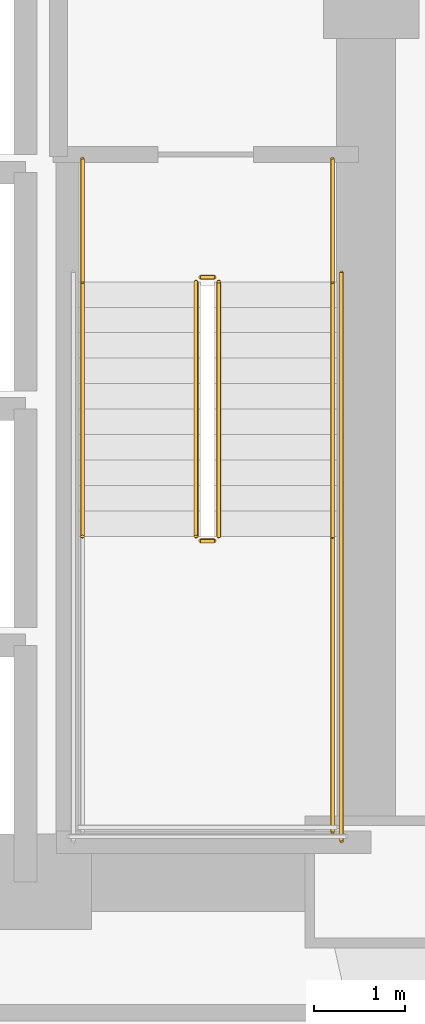
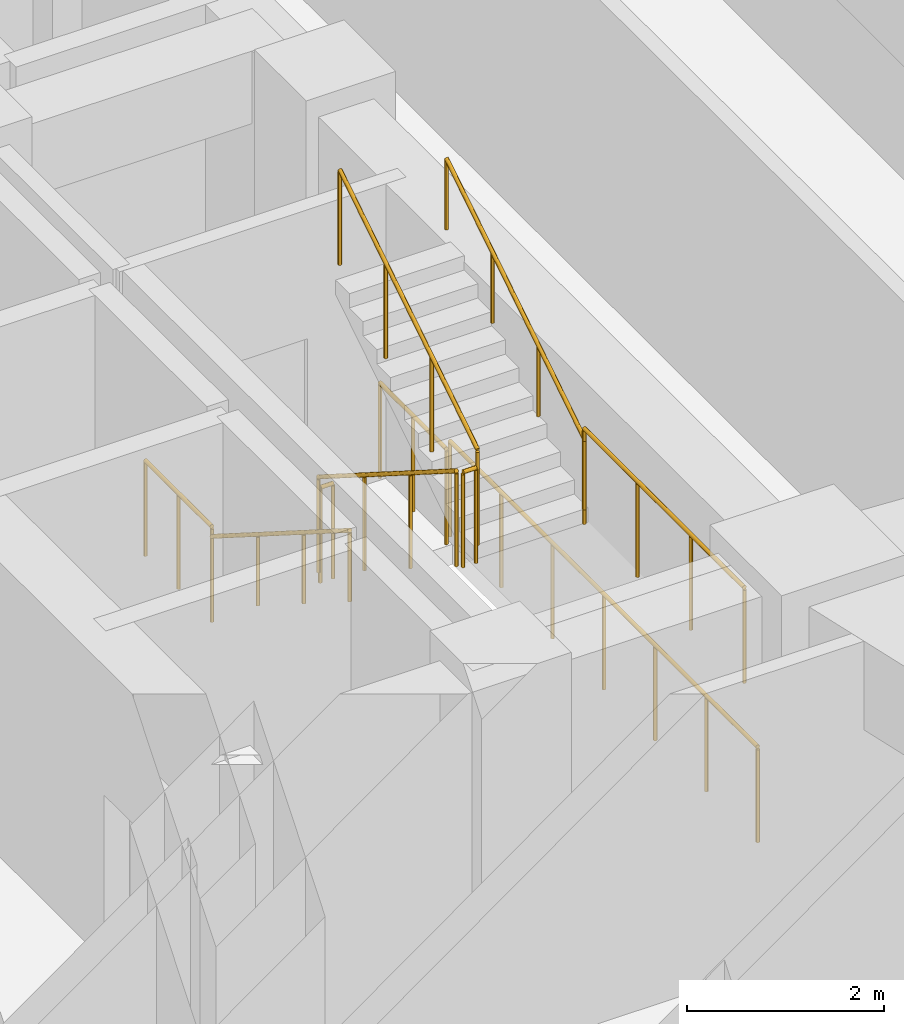
# One storey, part 14 of 15: 10 railings.
"""IFC4 building model written with IfcOpenShell, lengths in metres."""

import ifcopenshell
import ifcopenshell.guid

model = None  # the IFC model being written
_history = None  # IfcOwnerHistory: only IFC2X3 demands one
_inside = {}  # id of a spatial element -> (the spatial element, [elements in it])
_under = {}  # id of a project, library or spatial element -> (it, [spatial elements below it])
_declared = {}  # id of a project -> (the project, [libraries it declares])
_typed = {}  # id of a type object -> (the type object, [elements of that type])
_made_of = {}  # id of a material, layer set ... -> (it, [elements and type objects made of it])


def new_model(schema):
    """Start an empty IFC model of exactly this schema.

    Asked for "IFC4X3", IfcOpenShell would pick the latest addendum, in which some entities
    have other attributes; the version numbers below select the first issue.
    IFC2X3 requires an IfcOwnerHistory on every rooted entity: one is made here for all.
    """
    global model, _history
    if schema == "IFC4X3":
        model = ifcopenshell.file(schema_version=(4, 3, 0, 0))
    else:
        model = ifcopenshell.file(schema=schema)
    _inside.clear()
    _under.clear()
    _declared.clear()
    _typed.clear()
    _made_of.clear()
    _history = None
    if model.schema == "IFC2X3":
        org = make("IfcOrganization", Name="unknown")
        user = make(
            "IfcPersonAndOrganization",
            ThePerson=make("IfcPerson", FamilyName="unknown"),
            TheOrganization=org,
        )
        app = make(
            "IfcApplication",
            ApplicationDeveloper=org,
            Version="unknown",
            ApplicationFullName="unknown",
            ApplicationIdentifier="unknown",
        )
        _history = make(
            "IfcOwnerHistory",
            OwningUser=user,
            OwningApplication=app,
            ChangeAction="ADDED",
            CreationDate=0,
        )
    return model


def make(cls, **values):
    """One entity of the class cls with the attributes given. An attribute that is None is left unset."""
    return model.create_entity(
        cls, **{name: value for name, value in values.items() if value is not None}
    )


def rooted(cls, **values):
    """An entity with a GlobalId (a new one), such as an element, a storey or a relation."""
    return make(cls, GlobalId=ifcopenshell.guid.new(), OwnerHistory=_history, **values)


def si_unit(unit_type, name, prefix=None):
    """IfcSIUnit, for example si_unit("LENGTHUNIT", "METRE", prefix="MILLI")."""
    return make("IfcSIUnit", UnitType=unit_type, Prefix=prefix, Name=name)


def assignment(units):
    """IfcUnitAssignment: the units of a project."""
    return None if units is None else make("IfcUnitAssignment", Units=units)


def point(xyz):
    """IfcCartesianPoint."""
    return None if xyz is None else make("IfcCartesianPoint", Coordinates=xyz)


def direction(xyz):
    """IfcDirection."""
    return None if xyz is None else make("IfcDirection", DirectionRatios=xyz)


def frame(location, z_axis=None, x_axis=None):
    """IfcAxis2Placement3D, a coordinate frame: its origin and axes. An axis left out is left unset."""
    return make(
        "IfcAxis2Placement3D",
        Location=point(location),
        Axis=direction(z_axis),
        RefDirection=direction(x_axis),
    )


def frame_2d(location, x_axis=None):
    """IfcAxis2Placement2D, a coordinate frame in the plane: its origin and x axis."""
    return make(
        "IfcAxis2Placement2D", Location=point(location), RefDirection=direction(x_axis)
    )


def origin():
    """The frame at (0, 0, 0) with its axes left unset."""
    return frame((0.0, 0.0, 0.0))


def origin_2d():
    """The frame at (0, 0) in the plane with its x axis left unset."""
    return frame_2d((0.0, 0.0))


def place(relative_to, where):
    """IfcLocalPlacement: puts the frame where relative to a parent placement (None: the world)."""
    return make(
        "IfcLocalPlacement", PlacementRelTo=relative_to, RelativePlacement=where
    )


def context(
    kind, dimensions, precision=None, world=None, true_north=None, identifier=None
):
    """IfcGeometricRepresentationContext, for example the 3D "Model" context."""
    return make(
        "IfcGeometricRepresentationContext",
        ContextIdentifier=identifier,
        ContextType=kind,
        CoordinateSpaceDimension=dimensions,
        Precision=precision,
        WorldCoordinateSystem=world,
        TrueNorth=true_north,
    )


def subcontext(parent, identifier, kind, view, scale=None):
    """IfcGeometricRepresentationSubContext, for example "Body" below "Model"."""
    return make(
        "IfcGeometricRepresentationSubContext",
        ContextIdentifier=identifier,
        ContextType=kind,
        ParentContext=parent,
        TargetScale=scale,
        TargetView=view,
    )


def project(units=None, contexts=None):
    """IfcProject with its units and contexts."""
    return rooted(
        "IfcProject",
        Name="project",
        RepresentationContexts=contexts,
        UnitsInContext=assignment(units),
    )


def spatial(cls, under=None, at=None, **own):
    """A site, building, storey or space (cls), placed at a placement, below another one or the project."""
    s = rooted(cls, ObjectPlacement=at, **own)
    if under is not None:
        _under.setdefault(under.id(), (under, []))[1].append(s)
    return s


def profile(cls, at=None, kind="AREA", **sizes):
    """A parametric profile (cls). Its sizes go by their IFC names, for example OverallWidth=200.0."""
    return make(cls, ProfileType=kind, Position=at, **sizes)


def circle(**sizes):
    """IfcCircleProfileDef."""
    return profile("IfcCircleProfileDef", **sizes)


def extrude(swept, where, along, depth):
    """IfcExtrudedAreaSolid: the profile swept, set in the frame where, extruded along a direction by depth."""
    return make(
        "IfcExtrudedAreaSolid",
        SweptArea=swept,
        Position=where,
        ExtrudedDirection=direction(along),
        Depth=depth,
    )


def shape(context_of_items, identifier, shape_type, items):
    """IfcShapeRepresentation: the items that make up one representation, for example the "Body"."""
    return make(
        "IfcShapeRepresentation",
        ContextOfItems=context_of_items,
        RepresentationIdentifier=identifier,
        RepresentationType=shape_type,
        Items=items,
    )


def material(Name=None, Category=None):
    """IfcMaterial."""
    return make("IfcMaterial", Name=Name, Category=Category)


def made_of(thing, what):
    """Note that an element or type object is made of a material, layer set ...; save() writes the relation."""
    if what is not None:
        _made_of.setdefault(what.id(), (what, []))[1].append(thing)
    return thing


def type_object(cls, material=None, **own):
    """A type object (cls), such as IfcWallType, which elements share."""
    return made_of(rooted(cls, **own), material)


def element(
    cls,
    number,
    at=None,
    inside=None,
    cuts=None,
    type_object=None,
    material=None,
    context=None,
    identifier="Body",
    shape_type=None,
    held_by="IfcProductDefinitionShape",
    body=None,
    shapes=None,
    **own,
):
    """One element of the class cls, such as IfcWall. Its Tag is "e" and its number.

    at: its placement. inside: the storey or other place that contains it. cuts: it is an
    opening in that element (IfcRelVoidsElement). A single representation is given by context,
    identifier, shape_type and body (its items); several are given by shapes. held_by: the class
    of the entity that holds the representations. save() writes the other relations.
    """
    e = rooted(cls, Tag="e%d" % number, ObjectPlacement=at, **own)
    if body is not None:
        shapes = [shape(context, identifier, shape_type, body)]
    if shapes is not None:
        e.Representation = make(held_by, Representations=shapes)
    if inside is not None:
        _inside.setdefault(inside.id(), (inside, []))[1].append(e)
    if cuts is not None:
        rooted(
            "IfcRelVoidsElement", RelatingBuildingElement=cuts, RelatedOpeningElement=e
        )
    if type_object is not None:
        _typed.setdefault(type_object.id(), (type_object, []))[1].append(e)
    return made_of(e, material)


def aggregate(whole, parts):
    """IfcRelAggregates: a whole, such as a stair, and the parts it consists of."""
    return rooted("IfcRelAggregates", RelatingObject=whole, RelatedObjects=parts)


def save(model, path):
    """Write the relations noted so far, then the file.

    IfcRelAggregates (storeys below a building ...), IfcRelContainedInSpatialStructure (elements
    in a storey), IfcRelDefinesByType, IfcRelAssociatesMaterial and IfcRelDeclares: one each for
    every whole, place, type object, material and project.
    """
    for whole, parts in _under.values():
        aggregate(whole, parts)
    for where, things in _inside.values():
        rooted(
            "IfcRelContainedInSpatialStructure",
            RelatedElements=things,
            RelatingStructure=where,
        )
    for kind, things in _typed.values():
        rooted("IfcRelDefinesByType", RelatedObjects=things, RelatingType=kind)
    for what, things in _made_of.values():
        rooted("IfcRelAssociatesMaterial", RelatedObjects=things, RelatingMaterial=what)
    for by, libraries in _declared.values():
        rooted("IfcRelDeclares", RelatingContext=by, RelatedDefinitions=libraries)
    model.write(path)


model = new_model("IFC4")

# Units and contexts
model_context = context("Model", 3, precision=1e-05, world=origin(), true_north=direction((0.0, 1.0)))
body_context = subcontext(model_context, "Body", "Model", "MODEL_VIEW")
ifc_project = project(units=[si_unit("LENGTHUNIT", "METRE"), si_unit("AREAUNIT", "SQUARE_METRE"), si_unit("VOLUMEUNIT", "CUBIC_METRE"), si_unit("PLANEANGLEUNIT", "RADIAN"), si_unit("MASSUNIT", "GRAM", prefix="KILO")], contexts=[model_context])

# Site, building, storey
site_placement = place(None, origin())
site = spatial("IfcSite", under=ifc_project, at=site_placement, CompositionType="ELEMENT")
building_placement = place(site_placement, origin())
building = spatial("IfcBuilding", under=site, at=building_placement, Name="Voryun Gate Residences", CompositionType="ELEMENT")
storey_placement = place(building_placement, frame((0.0, 0.0, 26.0)))
storey = spatial("IfcBuildingStorey", under=building, at=storey_placement, Name="L05", CompositionType="ELEMENT", Elevation=26.0)

# Railings
ifc_material_1 = material(Name="Painted steel", Category="steel")
railing_type_1 = type_object("IfcRailingType", Name="RAIL_STAIR_GUARD_1200", PredefinedType="GUARDRAIL", material=ifc_material_1)
railing_1_placement = place(storey_placement, frame((17.27490234375, -0.800048828125, 0.17724609375)))
element("IfcRailing", 1, at=railing_1_placement, inside=storey, type_object=railing_type_1, Name="L05 ST-E1 stair guard 1", PredefinedType="GUARDRAIL", context=body_context, shape_type="SweptSolid", body=[
    extrude(circle(Radius=0.02392578125, at=origin_2d()), frame((0.0, 0.0, 1.17578125), z_axis=(0.0, -0.844908973607, 0.534910110503), x_axis=(1.0, 0.0, 0.0)), (0.0, 0.0, 1.0), 3.31396484375),
    extrude(circle(Radius=0.02099609375, at=origin_2d()), origin(), (0.0, 0.0, 1.0), 1.15185546875),
    extrude(circle(Radius=0.02099609375, at=origin_2d()), frame((0.0, -0.933349609375, 0.5908203125)), (0.0, 0.0, 1.0), 1.15185546875),
    extrude(circle(Radius=0.02099609375, at=origin_2d()), frame((0.0, -1.86669921875, 1.181884765625)), (0.0, 0.0, 1.0), 1.15185546875),
    extrude(circle(Radius=0.02099609375, at=origin_2d()), frame((0.0, -2.800048828125, 1.772705078125)), (0.0, 0.0, 1.0), 1.15185546875),
])
railing_2_placement = place(storey_placement, frame((17.324951171875, -3.64990234375, 1.949951171875)))
element("IfcRailing", 2, at=railing_2_placement, inside=storey, type_object=railing_type_1, Name="L05 ST-E1 stair guard 2", PredefinedType="GUARDRAIL", context=body_context, shape_type="SweptSolid", body=[
    extrude(circle(Radius=0.02392578125, at=origin_2d()), frame((0.0, 0.0, 1.17578125), z_axis=(1.0, 0.0, 0.0), x_axis=(0.0, 1.0, 0.0)), (0.0, 0.0, 1.0), 0.150146484375),
    extrude(circle(Radius=0.02099609375, at=origin_2d()), origin(), (0.0, 0.0, 1.0), 1.15185546875),
    extrude(circle(Radius=0.02099609375, at=origin_2d()), frame((0.150146484375, 0.0, 0.0)), (0.0, 0.0, 1.0), 1.15185546875),
])
railing_3_placement = place(storey_placement, frame((18.77490234375, -3.60009765625, 1.949951171875)))
element("IfcRailing", 3, at=railing_3_placement, inside=storey, type_object=railing_type_1, Name="L05 ST-E1 stair guard 4", PredefinedType="GUARDRAIL", context=body_context, shape_type="SweptSolid", body=[
    extrude(circle(Radius=0.02392578125, at=origin_2d()), frame((0.0, 0.0, 1.17578125), z_axis=(0.0, -1.0, 0.0), x_axis=(1.0, 0.0, 0.0)), (0.0, 0.0, 1.0), 3.25),
    extrude(circle(Radius=0.02099609375, at=origin_2d()), origin(), (0.0, 0.0, 1.0), 1.15185546875),
    extrude(circle(Radius=0.02099609375, at=origin_2d()), frame((0.0, -1.083251953125, 0.0)), (0.0, 0.0, 1.0), 1.15185546875),
    extrude(circle(Radius=0.02099609375, at=origin_2d()), frame((0.0, -2.166748046875, 0.0)), (0.0, 0.0, 1.0), 1.15185546875),
    extrude(circle(Radius=0.02099609375, at=origin_2d()), frame((0.0, -3.25, 0.0)), (0.0, 0.0, 1.0), 1.15185546875),
])
railing_4_placement = place(storey_placement, frame((17.52490234375, -3.60009765625, 2.127197265625)))
element("IfcRailing", 4, at=railing_4_placement, inside=storey, type_object=railing_type_1, Name="L05 ST-E1 stair guard 6", PredefinedType="GUARDRAIL", context=body_context, shape_type="SweptSolid", body=[
    extrude(circle(Radius=0.02392578125, at=origin_2d()), frame((0.0, 0.0, 1.17578125), z_axis=(0.0, 0.844908973607, 0.534910110503), x_axis=(-1.0, 0.0, 0.0)), (0.0, 0.0, 1.0), 3.31396484375),
    extrude(circle(Radius=0.02099609375, at=origin_2d()), origin(), (0.0, 0.0, 1.0), 1.15185546875),
    extrude(circle(Radius=0.02099609375, at=origin_2d()), frame((0.0, 0.933349609375, 0.5908203125)), (0.0, 0.0, 1.0), 1.15185546875),
    extrude(circle(Radius=0.02099609375, at=origin_2d()), frame((0.0, 1.86669921875, 1.181884765625)), (0.0, 0.0, 1.0), 1.15185546875),
    extrude(circle(Radius=0.02099609375, at=origin_2d()), frame((0.0, 2.800048828125, 1.772705078125)), (0.0, 0.0, 1.0), 1.15185546875),
])
railing_5_placement = place(storey_placement, frame((17.324951171875, -0.75, 0.0)))
element("IfcRailing", 5, at=railing_5_placement, inside=storey, type_object=railing_type_1, Name="L05 ST-E1 stair guard 7", PredefinedType="GUARDRAIL", context=body_context, shape_type="SweptSolid", body=[
    extrude(circle(Radius=0.02392578125, at=origin_2d()), frame((0.0, 0.0, 1.17578125), z_axis=(1.0, 0.0, 0.0), x_axis=(0.0, 1.0, 0.0)), (0.0, 0.0, 1.0), 0.150146484375),
    extrude(circle(Radius=0.02099609375, at=origin_2d()), origin(), (0.0, 0.0, 1.0), 1.15185546875),
    extrude(circle(Radius=0.02099609375, at=origin_2d()), frame((0.150146484375, 0.0, 0.0)), (0.0, 0.0, 1.0), 1.15185546875),
])
for number, where, name in (
    (6, (16.02490234375, 0.550048828125, 0.0), "L05 ST-E1 stair guard 8"),
    (7, (18.77490234375, 0.550048828125, 0.0), "L05 ST-E1 stair guard 9"),
):
    element("IfcRailing", number, at=place(storey_placement, frame(where)), inside=storey, type_object=railing_type_1, Name=name, PredefinedType="GUARDRAIL", context=body_context, shape_type="SweptSolid", body=[
        extrude(circle(Radius=0.02392578125, at=origin_2d()), frame((0.0, 0.0, 1.17578125), z_axis=(0.0, -1.0, 0.0), x_axis=(1.0, 0.0, 0.0)), (0.0, 0.0, 1.0), 1.35009765625),
        extrude(circle(Radius=0.02099609375, at=origin_2d()), origin(), (0.0, 0.0, 1.0), 1.15185546875),
        extrude(circle(Radius=0.02099609375, at=origin_2d()), frame((0.0, -0.675048828125, 0.0)), (0.0, 0.0, 1.0), 1.15185546875),
        extrude(circle(Radius=0.02099609375, at=origin_2d()), frame((0.0, -1.35009765625, 0.0)), (0.0, 0.0, 1.0), 1.15185546875),
    ])
railing_6_placement = place(storey_placement, frame((18.875, -0.699951171875, 0.0)))
element("IfcRailing", 8, at=railing_6_placement, inside=storey, type_object=railing_type_1, Name="L05 ST-E1 stair guard 11", PredefinedType="GUARDRAIL", context=body_context, shape_type="SweptSolid", body=[
    extrude(circle(Radius=0.02392578125, at=origin_2d()), frame((0.0, 0.0, 1.17578125), z_axis=(0.0, -1.0, 0.0), x_axis=(1.0, 0.0, 0.0)), (0.0, 0.0, 1.0), 6.25),
    extrude(circle(Radius=0.02099609375, at=origin_2d()), origin(), (0.0, 0.0, 1.0), 1.15185546875),
    extrude(circle(Radius=0.02099609375, at=origin_2d()), frame((0.0, -1.041748046875, 0.0)), (0.0, 0.0, 1.0), 1.15185546875),
    extrude(circle(Radius=0.02099609375, at=origin_2d()), frame((0.0, -2.083251953125, 0.0)), (0.0, 0.0, 1.0), 1.15185546875),
    extrude(circle(Radius=0.02099609375, at=origin_2d()), frame((0.0, -3.125, 0.0)), (0.0, 0.0, 1.0), 1.15185546875),
    extrude(circle(Radius=0.02099609375, at=origin_2d()), frame((0.0, -4.166748046875, 0.0)), (0.0, 0.0, 1.0), 1.15185546875),
    extrude(circle(Radius=0.02099609375, at=origin_2d()), frame((0.0, -5.208251953125, 0.0)), (0.0, 0.0, 1.0), 1.15185546875),
    extrude(circle(Radius=0.02099609375, at=origin_2d()), frame((0.0, -6.25, 0.0)), (0.0, 0.0, 1.0), 1.15185546875),
])
ifc_material_2 = material(Name="Painted steel", Category="steel")
railing_type_2 = type_object("IfcRailingType", Name="RAIL_STAIR_HANDRAIL_900", PredefinedType="HANDRAIL", material=ifc_material_2)
railing_7_placement = place(storey_placement, frame((16.02490234375, -0.800048828125, 0.17724609375)))
element("IfcRailing", 9, at=railing_7_placement, inside=storey, type_object=railing_type_2, Name="L05 ST-E1 stair handrail 1", PredefinedType="HANDRAIL", context=body_context, shape_type="SweptSolid", body=[
    extrude(circle(Radius=0.02392578125, at=origin_2d()), frame((0.0, 0.0, 0.8759765625), z_axis=(0.0, -0.844908973607, 0.534910110503), x_axis=(1.0, 0.0, 0.0)), (0.0, 0.0, 1.0), 3.31396484375),
    extrude(circle(Radius=0.02099609375, at=origin_2d()), origin(), (0.0, 0.0, 1.0), 0.851806640625),
    extrude(circle(Radius=0.02099609375, at=origin_2d()), frame((0.0, -0.933349609375, 0.5908203125)), (0.0, 0.0, 1.0), 0.851806640625),
    extrude(circle(Radius=0.02099609375, at=origin_2d()), frame((0.0, -1.86669921875, 1.181884765625)), (0.0, 0.0, 1.0), 0.851806640625),
    extrude(circle(Radius=0.02099609375, at=origin_2d()), frame((0.0, -2.800048828125, 1.772705078125)), (0.0, 0.0, 1.0), 0.851806640625),
])
railing_8_placement = place(storey_placement, frame((18.77490234375, -3.60009765625, 2.127197265625)))
element("IfcRailing", 10, at=railing_8_placement, inside=storey, type_object=railing_type_2, Name="L05 ST-E1 stair handrail 2", PredefinedType="HANDRAIL", context=body_context, shape_type="SweptSolid", body=[
    extrude(circle(Radius=0.02392578125, at=origin_2d()), frame((0.0, 0.0, 0.8759765625), z_axis=(0.0, 0.844908973607, 0.534910110503), x_axis=(-1.0, 0.0, 0.0)), (0.0, 0.0, 1.0), 3.31396484375),
    extrude(circle(Radius=0.02099609375, at=origin_2d()), origin(), (0.0, 0.0, 1.0), 0.851806640625),
    extrude(circle(Radius=0.02099609375, at=origin_2d()), frame((0.0, 0.933349609375, 0.5908203125)), (0.0, 0.0, 1.0), 0.851806640625),
    extrude(circle(Radius=0.02099609375, at=origin_2d()), frame((0.0, 1.86669921875, 1.181884765625)), (0.0, 0.0, 1.0), 0.851806640625),
    extrude(circle(Radius=0.02099609375, at=origin_2d()), frame((0.0, 2.800048828125, 1.772705078125)), (0.0, 0.0, 1.0), 0.851806640625),
])

save(model, "model.ifc")
